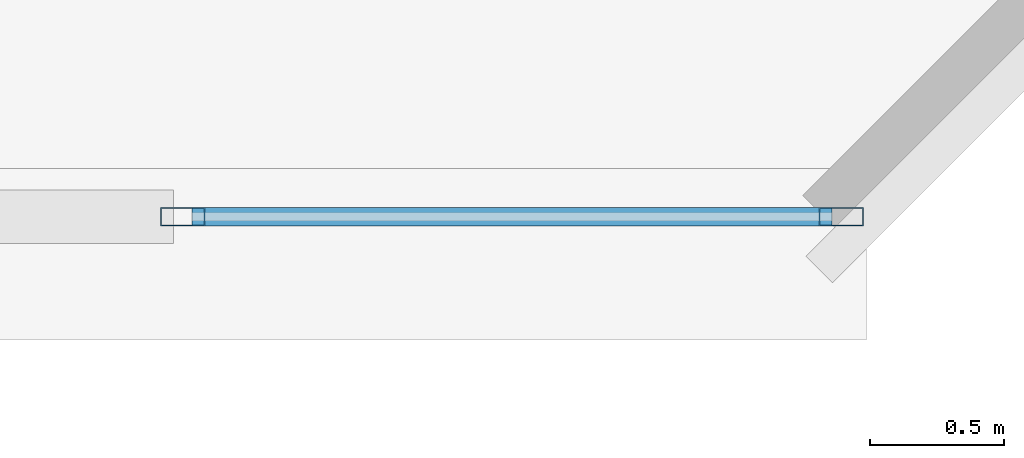
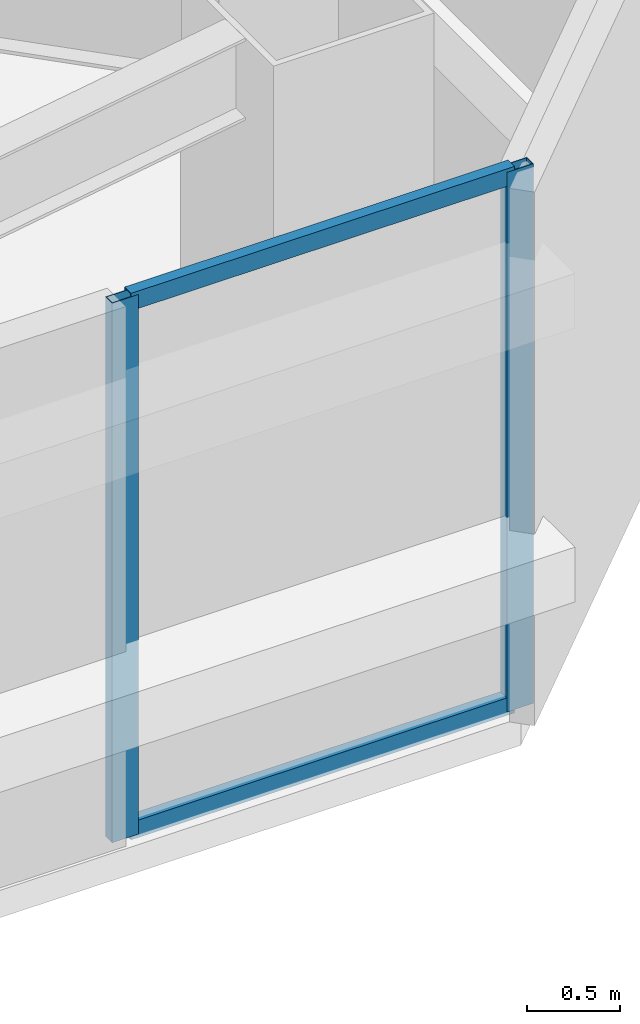
# One storey, part 7 of 40: 4 members, 1 element without a shape of its own.
"""IFC4 building model written with IfcOpenShell, lengths in metres."""

from ifc_helpers import new_model, si_unit, direction, frame, origin, origin_2d, place, context, subcontext, project, spatial, hollow_rectangle, extrude, material, material_profile, profile_set, type_object, element, aggregate, save


model = new_model("IFC4")

# Units and contexts
model_context = context("Model", 3, precision=1e-05, world=origin(), true_north=direction((0.0, 1.0)))
body_context = subcontext(model_context, "Body", "Model", "MODEL_VIEW")
ifc_project = project(units=[si_unit("LENGTHUNIT", "METRE"), si_unit("AREAUNIT", "SQUARE_METRE"), si_unit("VOLUMEUNIT", "CUBIC_METRE"), si_unit("PLANEANGLEUNIT", "RADIAN"), si_unit("MASSUNIT", "GRAM", prefix="KILO")], contexts=[model_context])

# Site, building, storey
site_placement = place(None, origin())
site = spatial("IfcSite", under=ifc_project, at=site_placement, CompositionType="ELEMENT")
building_placement = place(site_placement, origin())
building = spatial("IfcBuilding", under=site, at=building_placement, Name="Tashvorn Skyway Center", CompositionType="ELEMENT")
storey_placement = place(building_placement, frame((0.0, 0.0, 221.949951171875)))
storey = spatial("IfcBuildingStorey", under=building, at=storey_placement, Name="L60", CompositionType="ELEMENT", Elevation=221.949951171875)

# Curtain wall, members
ifc_material = material(Name="Thermally broken bronze-anodized aluminium 6063-T6", Category="aluminium")
curtain_wall_type = type_object("IfcCurtainWallType", Name="CW-CW-Z5", PredefinedType="NOTDEFINED", material=ifc_material)
curtain_wall_placement = place(storey_placement, origin())
curtain_wall = element("IfcCurtainWall", 1, at=curtain_wall_placement, inside=storey, type_object=curtain_wall_type, Name="Tower 1 L60 South Curtain Wall L Glazing Group 1", PredefinedType="NOTDEFINED")
ifc_material_profile_1 = material_profile(ifc_material, hollow_rectangle(XDim=0.070068359375, YDim=0.1650390625, WallThickness=0.00390625, at=origin_2d()), Name="ALU-MULL-70x165")
ifc_profile_set_1 = profile_set([ifc_material_profile_1], Name="Thermally broken bronze-anodized aluminium 6063-T6")
member_type_1 = type_object("IfcMemberType", Name="CWM-CW-Z5", PredefinedType="MULLION", material=ifc_profile_set_1)
member_1_placement = place(storey_placement, frame((56.14501953125, 15.719970703125, 0.0), z_axis=(0.0, 0.0, 1.0), x_axis=(0.0, -1.0, 0.0)))
member_1 = element("IfcMember", 2, at=member_1_placement, type_object=member_type_1, Name="CW-Z5 mullion 1", PredefinedType="MULLION", context=body_context, shape_type="SweptSolid", body=[
    extrude(hollow_rectangle(XDim=0.070068359375, YDim=0.1650390625, WallThickness=0.00390625, at=origin_2d()), origin(), (0.0, 0.0, 1.0), 3.550048828125),
])
member_2_placement = place(storey_placement, frame((53.688232421875, 15.719970703125, 0.0), z_axis=(0.0, 0.0, 1.0), x_axis=(0.0, -1.0, 0.0)))
member_2 = element("IfcMember", 3, at=member_2_placement, type_object=member_type_1, Name="CW-Z5 mullion 2", PredefinedType="MULLION", context=body_context, shape_type="SweptSolid", body=[
    extrude(hollow_rectangle(XDim=0.070068359375, YDim=0.1650390625, WallThickness=0.00390625, at=origin_2d()), origin(), (0.0, 0.0, 1.0), 3.550048828125),
])
ifc_material_profile_2 = material_profile(ifc_material, hollow_rectangle(XDim=0.070068359375, YDim=0.114990234375, WallThickness=0.00390625, at=origin_2d()), Name="ALU-TRAN-70x115")
ifc_profile_set_2 = profile_set([ifc_material_profile_2], Name="Thermally broken bronze-anodized aluminium 6063-T6")
member_type_2 = type_object("IfcMemberType", Name="CWT-CW-Z5", PredefinedType="USERDEFINED", material=ifc_profile_set_2)
member_3_placement = place(storey_placement, frame((56.110107421875, 15.719970703125, 0.03515625), z_axis=(-1.0, 0.0, 0.0), x_axis=(0.0, -1.0, 0.0)))
member_3 = element("IfcMember", 4, at=member_3_placement, type_object=member_type_2, Name="CW-Z5 transom 1.1", ObjectType="TRANSOM", PredefinedType="USERDEFINED", context=body_context, shape_type="SweptSolid", body=[
    extrude(hollow_rectangle(XDim=0.070068359375, YDim=0.114990234375, WallThickness=0.00390625, at=origin_2d()), origin(), (0.0, 0.0, 1.0), 2.38671875),
])
member_4_placement = place(storey_placement, frame((56.110107421875, 15.719970703125, 3.51513671875), z_axis=(-1.0, 0.0, 0.0), x_axis=(0.0, -1.0, 0.0)))
member_4 = element("IfcMember", 5, at=member_4_placement, type_object=member_type_2, Name="CW-Z5 transom 1.2", ObjectType="TRANSOM", PredefinedType="USERDEFINED", context=body_context, shape_type="SweptSolid", body=[
    extrude(hollow_rectangle(XDim=0.070068359375, YDim=0.114990234375, WallThickness=0.00390625, at=origin_2d()), origin(), (0.0, 0.0, 1.0), 2.38671875),
])
aggregate(curtain_wall, [member_1, member_2, member_3, member_4])

save(model, "model.ifc")
